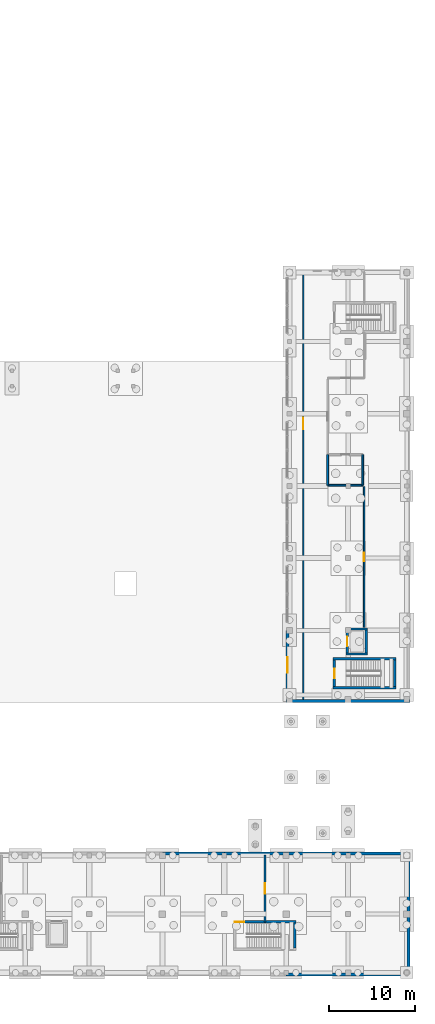
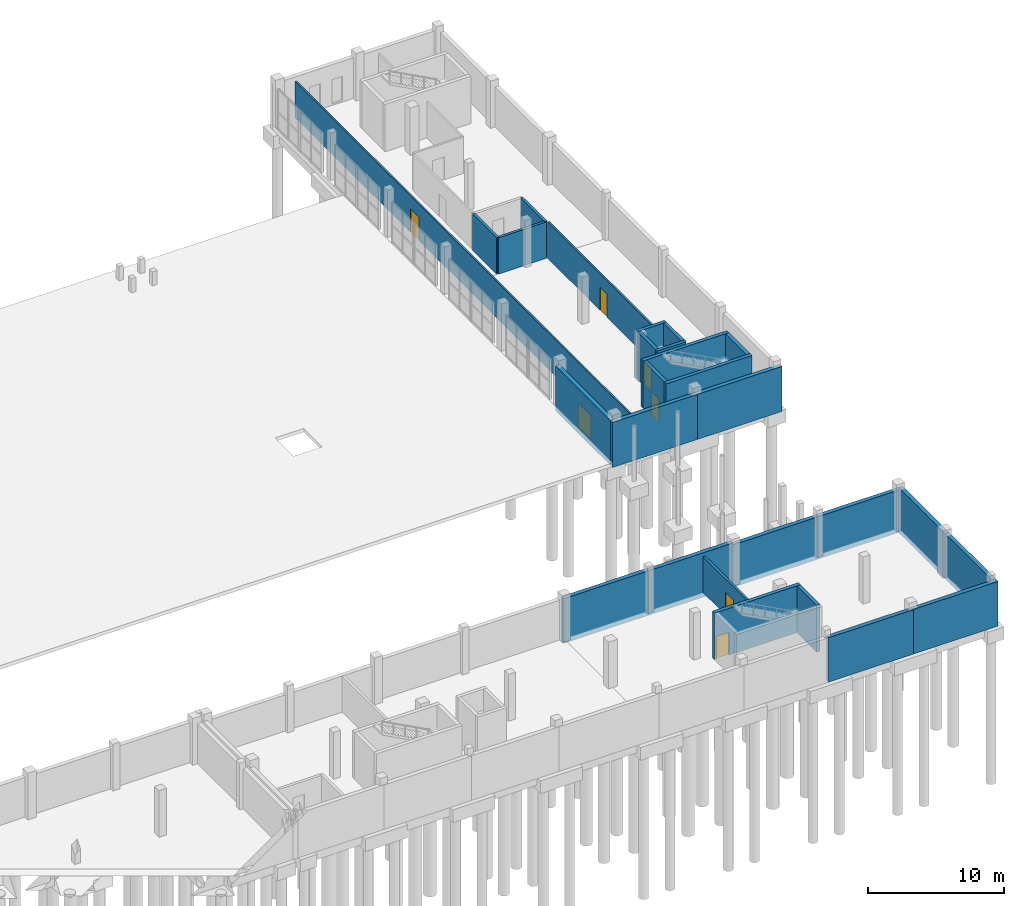
# One storey, part 31 of 41: 27 walls, 7 doors, 7 openings.
"""IFC4 building model written with IfcOpenShell, lengths in metres."""

from ifc_helpers import new_model, si_unit, direction, frame, frame_2d, origin, place, context, subcontext, project, spatial, rectangle, extrude, material, layer, layer_set, type_object, element, fill, save


model = new_model("IFC4")

# Units and contexts
model_context = context("Model", 3, precision=1e-05, world=origin(), true_north=direction((0.0, 1.0)))
body_context = subcontext(model_context, "Body", "Model", "MODEL_VIEW")
ifc_project = project(units=[si_unit("LENGTHUNIT", "METRE"), si_unit("AREAUNIT", "SQUARE_METRE"), si_unit("VOLUMEUNIT", "CUBIC_METRE"), si_unit("PLANEANGLEUNIT", "RADIAN"), si_unit("MASSUNIT", "GRAM", prefix="KILO")], contexts=[model_context])

# Site, building, storey
site_placement = place(None, origin())
site = spatial("IfcSite", under=ifc_project, at=site_placement, CompositionType="ELEMENT")
building_placement = place(site_placement, origin())
building = spatial("IfcBuilding", under=site, at=building_placement, Name="Vardoun Plaza Health Centre", CompositionType="ELEMENT")
storey_placement = place(building_placement, frame((0.0, 0.0, -4.5)))
storey = spatial("IfcBuildingStorey", under=building, at=storey_placement, Name="B1", CompositionType="ELEMENT", Elevation=-4.5)

# Wall
ifc_material_1 = material(Name="Concrete C40/50", Category="concrete")
ifc_layer_1 = layer(ifc_material_1, 0.27001953125)
ifc_layer_set_1 = layer_set([ifc_layer_1], Name="Concrete C40/50")
wall_type_1 = type_object("IfcWallType", Name="SW-03", PredefinedType="SHEAR", material=ifc_layer_set_1)
wall_1_placement = place(storey_placement, frame((160.3349609375, 41.949951171875, 0.0), z_axis=(0.0, 0.0, 1.0), x_axis=(-1.0, 0.0, 0.0)))
element("IfcWall", 1, at=wall_1_placement, inside=storey, type_object=wall_type_1, Name="Lift LP-05 B1 Shaft Wall S", PredefinedType="SHEAR", context=body_context, shape_type="SweptSolid", body=[
    extrude(rectangle(XDim=2.469970703125, YDim=0.27001953125, at=frame_2d((1.23486328125, 0.0))), origin(), (0.0, 0.0, 1.0), 4.25),
])

# Wall, opening, door
wall_2_placement = place(storey_placement, frame((158.0, 42.0849609375, 0.0), z_axis=(0.0, 0.0, 1.0), x_axis=(0.0, 1.0, 0.0)))
wall_2 = element("IfcWall", 2, at=wall_2_placement, inside=storey, type_object=wall_type_1, Name="Lift LP-05 B1 Shaft Wall W", PredefinedType="SHEAR", context=body_context, shape_type="SweptSolid", body=[
    extrude(rectangle(XDim=2.630126953125, YDim=0.27001953125, at=frame_2d((1.31494140625, 0.0))), origin(), (0.0, 0.0, 1.0), 4.25),
])
opening_1_placement = place(wall_2_placement, frame((0.7548828125, 0.0, 0.0)))
opening_1 = element("IfcOpeningElement", 3, at=opening_1_placement, cuts=wall_2, Name="Opening LD-LP-05-B1", PredefinedType="OPENING", context=body_context, shape_type="SweptSolid", body=[
    extrude(rectangle(XDim=1.1201171875, YDim=2.10009765625, at=frame_2d((0.56005859375, 1.050048828125))), frame((0.0, 0.135009765625, 0.0), z_axis=(0.0, -1.0, 0.0), x_axis=(1.0, 0.0, 0.0)), (0.0, 0.0, 1.0), 0.27001953125),
])
ifc_material_2 = material(Name="Brushed Stainless Steel Grade 316L", Category="steel")
door_type_1 = type_object("IfcDoorType", Name="LD-01", OperationType="DOUBLE_DOOR_SLIDING", PredefinedType="DOOR", material=ifc_material_2)
door_1_placement = place(opening_1_placement, origin())
door_1 = element("IfcDoor", 4, at=door_1_placement, inside=storey, type_object=door_type_1, Name="Lift LP-05 B1 Sliding Landing Door", OperationType="DOUBLE_DOOR_SLIDING", OverallHeight=2.10009765625, OverallWidth=1.1201171875, PredefinedType="DOOR", context=body_context, shape_type="SweptSolid", body=[
    extrude(rectangle(XDim=1.1201171875, YDim=2.10009765625, at=frame_2d((0.56005859375, 1.050048828125))), frame((0.0, 0.02490234375, 0.0), z_axis=(0.0, -1.0, 0.0), x_axis=(1.0, 0.0, 0.0)), (0.0, 0.0, 1.0), 0.050048828125),
])
fill(opening_1, door_1)

# Walls
wall_3_placement = place(storey_placement, frame((157.864990234375, 44.85009765625, 0.0), z_axis=(0.0, 0.0, 1.0), x_axis=(1.0, 0.0, 0.0)))
element("IfcWall", 5, at=wall_3_placement, inside=storey, type_object=wall_type_1, Name="Lift LP-05 B1 Shaft Wall N", PredefinedType="SHEAR", context=body_context, shape_type="SweptSolid", body=[
    extrude(rectangle(XDim=2.469970703125, YDim=0.27001953125, at=frame_2d((1.23486328125, 0.0))), origin(), (0.0, 0.0, 1.0), 4.25),
])
wall_4_placement = place(storey_placement, frame((160.199951171875, 44.715087890625, 0.0), z_axis=(0.0, 0.0, 1.0), x_axis=(0.0, -1.0, 0.0)))
element("IfcWall", 6, at=wall_4_placement, inside=storey, type_object=wall_type_1, Name="Lift LP-05 B1 Shaft Wall E", PredefinedType="SHEAR", context=body_context, shape_type="SweptSolid", body=[
    extrude(rectangle(XDim=2.630126953125, YDim=0.27001953125, at=frame_2d((1.31494140625, 0.0))), origin(), (0.0, 0.0, 1.0), 4.25),
])
ifc_material_3 = material(Name="Concrete C40/50", Category="concrete")
ifc_layer_2 = layer(ifc_material_3, 0.300048828125)
ifc_layer_set_2 = layer_set([ifc_layer_2], Name="Concrete C40/50")
wall_type_2 = type_object("IfcWallType", Name="SW-01", PredefinedType="SHEAR", material=ifc_layer_set_2)
wall_5_placement = place(storey_placement, frame((163.64990234375, 38.0, 0.0), z_axis=(0.0, 0.0, 1.0), x_axis=(-1.0, 0.0, 0.0)))
element("IfcWall", 7, at=wall_5_placement, inside=storey, type_object=wall_type_2, Name="Core C10 B1 Shear Wall S", PredefinedType="SHEAR", context=body_context, shape_type="SweptSolid", body=[
    extrude(rectangle(XDim=7.2998046875, YDim=0.300048828125, at=frame_2d((3.64990234375, 0.0))), origin(), (0.0, 0.0, 1.0), 4.25),
])

# Wall, opening, door
wall_6_placement = place(storey_placement, frame((156.5, 38.14990234375, 0.0), z_axis=(0.0, 0.0, 1.0), x_axis=(0.0, 1.0, 0.0)))
wall_6 = element("IfcWall", 8, at=wall_6_placement, inside=storey, type_object=wall_type_2, Name="Core C10 B1 Shear Wall W", PredefinedType="SHEAR", context=body_context, shape_type="SweptSolid", body=[
    extrude(rectangle(XDim=3.10009765625, YDim=0.300048828125, at=frame_2d((1.550048828125, 0.0))), origin(), (0.0, 0.0, 1.0), 4.25),
])
opening_2_placement = place(wall_6_placement, frame((1.0, 0.0, 0.0)))
opening_2 = element("IfcOpeningElement", 9, at=opening_2_placement, cuts=wall_6, Name="Opening SD-C10-B1", PredefinedType="OPENING", context=body_context, shape_type="SweptSolid", body=[
    extrude(rectangle(XDim=1.10009765625, YDim=2.050048828125, at=frame_2d((0.550048828125, 1.02490234375))), frame((0.0, 0.14990234375, 0.0), z_axis=(0.0, -1.0, 0.0), x_axis=(1.0, 0.0, 0.0)), (0.0, 0.0, 1.0), 0.300048828125),
])
ifc_material_4 = material(Name="Brushed Stainless Steel Grade 316L", Category="steel")
door_type_2 = type_object("IfcDoorType", Name="FD-01", OperationType="NOTDEFINED", PredefinedType="DOOR", material=ifc_material_4)
door_2_placement = place(opening_2_placement, origin())
door_2 = element("IfcDoor", 10, at=door_2_placement, inside=storey, type_object=door_type_2, Name="Stair C10 B1 Fire Door", OperationType="SINGLE_SWING_LEFT", OverallHeight=2.050048828125, OverallWidth=1.10009765625, PredefinedType="DOOR", context=body_context, shape_type="SweptSolid", body=[
    extrude(rectangle(XDim=1.10009765625, YDim=2.050048828125, at=frame_2d((0.550048828125, 1.02490234375))), frame((0.0, 0.02490234375, 0.0), z_axis=(0.0, -1.0, 0.0), x_axis=(1.0, 0.0, 0.0)), (0.0, 0.0, 1.0), 0.050048828125),
])
fill(opening_2, door_2)

# Walls
wall_7_placement = place(storey_placement, frame((156.35009765625, 41.39990234375, 0.0), z_axis=(0.0, 0.0, 1.0), x_axis=(1.0, 0.0, 0.0)))
element("IfcWall", 11, at=wall_7_placement, inside=storey, type_object=wall_type_2, Name="Core C10 B1 Shear Wall N", PredefinedType="SHEAR", context=body_context, shape_type="SweptSolid", body=[
    extrude(rectangle(XDim=7.2998046875, YDim=0.300048828125, at=frame_2d((3.64990234375, 0.0))), origin(), (0.0, 0.0, 1.0), 4.25),
])
wall_8_placement = place(storey_placement, frame((163.5, 41.25, 0.0), z_axis=(0.0, 0.0, 1.0), x_axis=(0.0, -1.0, 0.0)))
element("IfcWall", 12, at=wall_8_placement, inside=storey, type_object=wall_type_2, Name="Core C10 B1 Shear Wall E", PredefinedType="SHEAR", context=body_context, shape_type="SweptSolid", body=[
    extrude(rectangle(XDim=3.10009765625, YDim=0.300048828125, at=frame_2d((1.550048828125, 0.0))), origin(), (0.0, 0.0, 1.0), 4.25),
])

# Wall, opening, door
wall_9_placement = place(storey_placement, frame((144.75, 10.800048828125, 0.0), z_axis=(0.0, 0.0, 1.0), x_axis=(1.0, 0.0, 0.0)))
wall_9 = element("IfcWall", 13, at=wall_9_placement, inside=storey, type_object=wall_type_2, Name="Core C9 B1 Shear Wall N", PredefinedType="SHEAR", context=body_context, shape_type="SweptSolid", body=[
    extrude(rectangle(XDim=7.300048828125, YDim=0.300048828125, at=frame_2d((3.64990234375, 0.0))), origin(), (0.0, 0.0, 1.0), 4.205078125),
])
opening_3_placement = place(wall_9_placement, frame((0.159912109375, 0.0, 0.0)))
opening_3 = element("IfcOpeningElement", 14, at=opening_3_placement, cuts=wall_9, Name="Opening SD-C9-B1", PredefinedType="OPENING", context=body_context, shape_type="SweptSolid", body=[
    extrude(rectangle(XDim=1.10009765625, YDim=2.050048828125, at=frame_2d((0.550048828125, 1.02490234375))), frame((0.0, 0.14990234375, 0.0), z_axis=(0.0, -1.0, 0.0), x_axis=(1.0, 0.0, 0.0)), (0.0, 0.0, 1.0), 0.300048828125),
])
door_3_placement = place(opening_3_placement, origin())
door_3 = element("IfcDoor", 15, at=door_3_placement, inside=storey, type_object=door_type_2, Name="Stair C9 B1 Fire Door", OperationType="SINGLE_SWING_RIGHT", OverallHeight=2.050048828125, OverallWidth=1.10009765625, PredefinedType="DOOR", context=body_context, shape_type="SweptSolid", body=[
    extrude(rectangle(XDim=1.10009765625, YDim=2.050048828125, at=frame_2d((0.550048828125, 1.02490234375))), frame((0.0, 0.02490234375, 0.0), z_axis=(0.0, -1.0, 0.0), x_axis=(1.0, 0.0, 0.0)), (0.0, 0.0, 1.0), 0.050048828125),
])
fill(opening_3, door_3)

# Walls
wall_10_placement = place(storey_placement, frame((151.89990234375, 10.64990234375, 0.0), z_axis=(0.0, 0.0, 1.0), x_axis=(0.0, -1.0, 0.0)))
element("IfcWall", 16, at=wall_10_placement, inside=storey, type_object=wall_type_2, Name="Core C9 B1 Shear Wall E", PredefinedType="SHEAR", context=body_context, shape_type="SweptSolid", body=[
    extrude(rectangle(XDim=2.89990234375, YDim=0.300048828125, at=frame_2d((1.449951171875, 0.0))), origin(), (0.0, 0.0, 1.0), 4.205078125),
])
ifc_material_5 = material(Name="Pale Limestone Concrete C35/45", Category="masonry")
ifc_layer_3 = layer(ifc_material_5, 0.344970703125)
ifc_layer_set_3 = layer_set([ifc_layer_3], Name="Pale Limestone Concrete C35/45")
wall_type_3 = type_object("IfcWallType", Name="EW-01", PredefinedType="SOLIDWALL", material=ifc_layer_set_3)
wall_11_placement = place(storey_placement, frame((136.5, 18.7275390625, -0.419921875), z_axis=(0.0, 0.0, 1.0), x_axis=(1.0, 0.0, 0.0)))
element("IfcWall", 17, at=wall_11_placement, inside=storey, type_object=wall_type_3, Name="V5 B1 Exterior Wall EW-V5-352", PredefinedType="SOLIDWALL", context=body_context, shape_type="SweptSolid", body=[
    extrude(rectangle(XDim=7.199951171875, YDim=0.344970703125, at=frame_2d((3.60009765625, 0.0))), origin(), (0.0, 0.0, 1.0), 4.010009765625),
])
wall_12_placement = place(storey_placement, frame((143.699951171875, 18.7275390625, -0.419921875), z_axis=(0.0, 0.0, 1.0), x_axis=(1.0, 0.0, 0.0)))
element("IfcWall", 18, at=wall_12_placement, inside=storey, type_object=wall_type_3, Name="V5 B1 Exterior Wall EW-V5-353", PredefinedType="SOLIDWALL", context=body_context, shape_type="SweptSolid", body=[
    extrude(rectangle(XDim=7.199951171875, YDim=0.344970703125, at=frame_2d((3.60009765625, 0.0))), origin(), (0.0, 0.0, 1.0), 3.989990234375),
])
wall_13_placement = place(storey_placement, frame((150.89990234375, 18.7275390625, -0.419921875), z_axis=(0.0, 0.0, 1.0), x_axis=(1.0, 0.0, 0.0)))
element("IfcWall", 19, at=wall_13_placement, inside=storey, type_object=wall_type_3, Name="V5 B1 Exterior Wall EW-V5-354", PredefinedType="SOLIDWALL", context=body_context, shape_type="SweptSolid", body=[
    extrude(rectangle(XDim=7.2001953125, YDim=0.344970703125, at=frame_2d((3.60009765625, 0.0))), origin(), (0.0, 0.0, 1.0), 3.809814453125),
])
wall_14_placement = place(storey_placement, frame((158.10009765625, 18.7275390625, -0.419921875), z_axis=(0.0, 0.0, 1.0), x_axis=(1.0, 0.0, 0.0)))
element("IfcWall", 20, at=wall_14_placement, inside=storey, type_object=wall_type_3, Name="V5 B1 Exterior Wall EW-V5-355", PredefinedType="SOLIDWALL", context=body_context, shape_type="SweptSolid", body=[
    extrude(rectangle(XDim=7.199951171875, YDim=0.344970703125, at=frame_2d((3.60009765625, 0.0))), origin(), (0.0, 0.0, 1.0), 3.809814453125),
])
for number, where, z_axis, x_axis, name in (
    (21, (165.12744140625, 18.554931640625, -0.419921875), (0.0, 0.0, 1.0), (0.0, -1.0, 0.0), "V5 B1 Exterior Wall EW-V5-356"),
    (22, (165.12744140625, 11.699951171875, -0.419921875), (0.0, 0.0, 1.0), (0.0, -1.0, 0.0), "V5 B1 Exterior Wall EW-V5-357"),
):
    element("IfcWall", number, at=place(storey_placement, frame(where, z_axis=z_axis, x_axis=x_axis)), inside=storey, type_object=wall_type_3, Name=name, PredefinedType="SOLIDWALL", context=body_context, shape_type="SweptSolid", body=[
        extrude(rectangle(XDim=6.85498046875, YDim=0.344970703125, at=frame_2d((3.427490234375, 0.0))), origin(), (0.0, 0.0, 1.0), 4.059814453125),
    ])
wall_15_placement = place(storey_placement, frame((165.300048828125, 4.672607421875, -0.419921875), z_axis=(0.0, 0.0, 1.0), x_axis=(-1.0, 0.0, 0.0)))
element("IfcWall", 23, at=wall_15_placement, inside=storey, type_object=wall_type_3, Name="V5 B1 Exterior Wall EW-V5-358", PredefinedType="SOLIDWALL", context=body_context, shape_type="SweptSolid", body=[
    extrude(rectangle(XDim=7.199951171875, YDim=0.344970703125, at=frame_2d((3.60009765625, 0.0))), origin(), (0.0, 0.0, 1.0), 4.010009765625),
])
wall_16_placement = place(storey_placement, frame((158.10009765625, 4.672607421875, -0.419921875), z_axis=(0.0, 0.0, 1.0), x_axis=(-1.0, 0.0, 0.0)))
element("IfcWall", 24, at=wall_16_placement, inside=storey, type_object=wall_type_3, Name="V5 B1 Exterior Wall EW-V5-359", PredefinedType="SOLIDWALL", context=body_context, shape_type="SweptSolid", body=[
    extrude(rectangle(XDim=7.2001953125, YDim=0.344970703125, at=frame_2d((3.60009765625, 0.0))), origin(), (0.0, 0.0, 1.0), 3.989990234375),
])
wall_17_placement = place(storey_placement, frame((165.300048828125, 36.472412109375, -0.419921875), z_axis=(0.0, 0.0, 1.0), x_axis=(-1.0, 0.0, 0.0)))
element("IfcWall", 25, at=wall_17_placement, inside=storey, type_object=wall_type_3, Name="V6 B1 Exterior Wall EW-V6-412", PredefinedType="SOLIDWALL", context=body_context, shape_type="SweptSolid", body=[
    extrude(rectangle(XDim=7.199951171875, YDim=0.344970703125, at=frame_2d((3.60009765625, 0.0))), origin(), (0.0, 0.0, 1.0), 4.054931640625),
])
wall_18_placement = place(storey_placement, frame((158.10009765625, 36.472412109375, -0.419921875), z_axis=(0.0, 0.0, 1.0), x_axis=(-1.0, 0.0, 0.0)))
element("IfcWall", 26, at=wall_18_placement, inside=storey, type_object=wall_type_3, Name="V6 B1 Exterior Wall EW-V6-413", PredefinedType="SOLIDWALL", context=body_context, shape_type="SweptSolid", body=[
    extrude(rectangle(XDim=7.2001953125, YDim=0.344970703125, at=frame_2d((3.60009765625, 0.0))), origin(), (0.0, 0.0, 1.0), 4.054931640625),
])

# Wall, opening, door
wall_19_placement = place(storey_placement, frame((151.072509765625, 36.64501953125, -0.419921875), z_axis=(0.0, 0.0, 1.0), x_axis=(0.0, 1.0, 0.0)))
wall_19 = element("IfcWall", 27, at=wall_19_placement, inside=storey, type_object=wall_type_3, Name="V6 B1 Exterior Wall EW-V6-414", PredefinedType="SOLIDWALL", context=body_context, shape_type="SweptSolid", body=[
    extrude(rectangle(XDim=8.054931640625, YDim=0.344970703125, at=frame_2d((4.02734375, 0.0))), origin(), (0.0, 0.0, 1.0), 4.034912109375),
])
opening_4_placement = place(wall_19_placement, frame((3.12744140625, 0.0, 0.419921875)))
opening_4 = element("IfcOpeningElement", 28, at=opening_4_placement, cuts=wall_19, Name="Opening D-B1-FC1", PredefinedType="OPENING", context=body_context, shape_type="SweptSolid", body=[
    extrude(rectangle(XDim=1.800048828125, YDim=2.10009765625, at=frame_2d((0.89990234375, 1.050048828125))), frame((0.0, 0.17236328125, 0.0), z_axis=(0.0, -1.0, 0.0), x_axis=(1.0, 0.0, 0.0)), (0.0, 0.0, 1.0), 0.344970703125),
])
ifc_material_6 = material(Name="Aluminium Alloy EN AW-6063-T6 Glazed Exit Door", Category="aluminium")
door_type_3 = type_object("IfcDoorType", Name="ED-01", OperationType="DOUBLE_DOOR_SINGLE_SWING", PredefinedType="DOOR", material=ifc_material_6)
door_4_placement = place(opening_4_placement, origin())
door_4 = element("IfcDoor", 29, at=door_4_placement, inside=storey, type_object=door_type_3, Name="Sunken Metro Forecourt Entrance Door", OperationType="DOUBLE_DOOR_SINGLE_SWING", OverallHeight=2.10009765625, OverallWidth=1.800048828125, PredefinedType="DOOR", context=body_context, shape_type="SweptSolid", body=[
    extrude(rectangle(XDim=1.800048828125, YDim=2.10009765625, at=frame_2d((0.89990234375, 1.050048828125))), frame((0.0, 0.02490234375, 0.0), z_axis=(0.0, -1.0, 0.0), x_axis=(1.0, 0.0, 0.0)), (0.0, 0.0, 1.0), 0.050048828125),
])
fill(opening_4, door_4)

ifc_material_7 = material(Name="Acoustic Gypsum Twin-Stud", Category="steel")
ifc_layer_4 = layer(ifc_material_7, 0.14990234375)
ifc_layer_set_4 = layer_set([ifc_layer_4], Name="Acoustic Gypsum Twin-Stud")
wall_type_4 = type_object("IfcWallType", Name="IW-04", PredefinedType="PARTITIONING", material=ifc_layer_set_4)
wall_20_placement = place(storey_placement, frame((159.9599609375, 61.419921875, 0.0), z_axis=(0.0, 0.0, 1.0), x_axis=(0.0, -1.0, 0.0)))
wall_20 = element("IfcWall", 30, at=wall_20_placement, inside=storey, type_object=wall_type_4, Name="Sunken Forecourt Entry Hall Partition Wall", PredefinedType="PARTITIONING", context=body_context, shape_type="SweptSolid", body=[
    extrude(rectangle(XDim=16.369873046875, YDim=0.14990234375, at=frame_2d((8.18505859375, 0.0))), origin(), (0.0, 0.0, 1.0), 3.27001953125),
])
opening_5_placement = place(wall_20_placement, frame((7.6650390625, 0.0, 0.0)))
opening_5 = element("IfcOpeningElement", 31, at=opening_5_placement, cuts=wall_20, Name="Opening D-B1-156", PredefinedType="OPENING", context=body_context, shape_type="SweptSolid", body=[
    extrude(rectangle(XDim=1.0400390625, YDim=2.050048828125, at=frame_2d((0.52001953125, 1.02490234375))), frame((0.0, 0.074951171875, 0.0), z_axis=(0.0, -1.0, 0.0), x_axis=(1.0, 0.0, 0.0)), (0.0, 0.0, 1.0), 0.14990234375),
])
ifc_material_8 = material(Name="Antimicrobial Acoustic Timber and Steel S275JR", Category="steel")
door_type_4 = type_object("IfcDoorType", Name="CD-04", OperationType="NOTDEFINED", PredefinedType="DOOR", material=ifc_material_8)
door_5_placement = place(opening_5_placement, origin())
door_5 = element("IfcDoor", 32, at=door_5_placement, inside=storey, type_object=door_type_4, Name="Sunken Forecourt Entry Hall Door D-B1-156", OperationType="SINGLE_SWING_LEFT", OverallHeight=2.050048828125, OverallWidth=1.0400390625, PredefinedType="DOOR", context=body_context, shape_type="SweptSolid", body=[
    extrude(rectangle(XDim=1.0400390625, YDim=2.050048828125, at=frame_2d((0.52001953125, 1.02490234375))), frame((0.0, 0.02490234375, 0.0), z_axis=(0.0, -1.0, 0.0), x_axis=(1.0, 0.0, 0.0)), (0.0, 0.0, 1.0), 0.050048828125),
])
fill(opening_5, door_5)

ifc_material_9 = material(Name="Concrete C35/45", Category="concrete")
ifc_layer_5 = layer(ifc_material_9, 0.199951171875)
ifc_layer_set_5 = layer_set([ifc_layer_5], Name="Concrete C35/45")
wall_type_5 = type_object("IfcWallType", Name="IW-01", PredefinedType="SOLIDWALL", material=ifc_layer_set_5)
wall_21_placement = place(storey_placement, frame((148.43994140625, 10.800048828125, 0.0), z_axis=(0.0, 0.0, 1.0), x_axis=(0.0, 1.0, 0.0)))
wall_21 = element("IfcWall", 33, at=wall_21_placement, inside=storey, type_object=wall_type_5, Name="Central Sterile Supply Bulk Store Partition Wall", PredefinedType="SOLIDWALL", context=body_context, shape_type="SweptSolid", body=[
    extrude(rectangle(XDim=7.75, YDim=0.199951171875, at=frame_2d((3.875, 0.0))), origin(), (0.0, 0.0, 1.0), 3.22509765625),
])
opening_6_placement = place(wall_21_placement, frame((3.27490234375, 0.0, 0.0)))
opening_6 = element("IfcOpeningElement", 34, at=opening_6_placement, cuts=wall_21, Name="Opening D-B1-132", PredefinedType="OPENING", context=body_context, shape_type="SweptSolid", body=[
    extrude(rectangle(XDim=1.199951171875, YDim=2.050048828125, at=frame_2d((0.60009765625, 1.02490234375))), frame((0.0, 0.10009765625, 0.0), z_axis=(0.0, -1.0, 0.0), x_axis=(1.0, 0.0, 0.0)), (0.0, 0.0, 1.0), 0.199951171875),
])
ifc_material_10 = material(Name="Antimicrobial Acoustic Timber and Steel S275JR", Category="steel")
door_type_5 = type_object("IfcDoorType", Name="FD-04", OperationType="NOTDEFINED", PredefinedType="DOOR", material=ifc_material_10)
door_6_placement = place(opening_6_placement, origin())
door_6 = element("IfcDoor", 35, at=door_6_placement, inside=storey, type_object=door_type_5, Name="Central Sterile Supply Bulk Store Door D-B1-132", OperationType="SINGLE_SWING_RIGHT", OverallHeight=2.050048828125, OverallWidth=1.199951171875, PredefinedType="DOOR", context=body_context, shape_type="SweptSolid", body=[
    extrude(rectangle(XDim=1.199951171875, YDim=2.050048828125, at=frame_2d((0.60009765625, 1.02490234375))), frame((0.0, 0.02490234375, 0.0), z_axis=(0.0, -1.0, 0.0), x_axis=(1.0, 0.0, 0.0)), (0.0, 0.0, 1.0), 0.050048828125),
])
fill(opening_6, door_6)

ifc_material_11 = material(Name="Acoustic Demountable Seminar Wall", Category="steel")
ifc_layer_6 = layer(ifc_material_11, 0.135009765625)
ifc_layer_set_6 = layer_set([ifc_layer_6], Name="Acoustic Demountable Seminar Wall")
wall_type_6 = type_object("IfcWallType", Name="IW-07", PredefinedType="MOVABLE", material=ifc_layer_set_6)
wall_22_placement = place(storey_placement, frame((152.8798828125, 86.35009765625, 0.0), z_axis=(0.0, 0.0, 1.0), x_axis=(0.0, -1.0, 0.0)))
wall_22 = element("IfcWall", 36, at=wall_22_placement, inside=storey, type_object=wall_type_6, Name="Community Health Exhibition Room Partition Wall", PredefinedType="MOVABLE", context=body_context, shape_type="SweptSolid", body=[
    extrude(rectangle(XDim=49.7001953125, YDim=0.135009765625, at=frame_2d((24.85009765625, 0.0))), origin(), (0.0, 0.0, 1.0), 3.27001953125),
])
opening_7_placement = place(wall_22_placement, frame((16.93994140625, 0.0, 0.0)))
opening_7 = element("IfcOpeningElement", 37, at=opening_7_placement, cuts=wall_22, Name="Opening D-B1-157", PredefinedType="OPENING", context=body_context, shape_type="SweptSolid", body=[
    extrude(rectangle(XDim=1.300048828125, YDim=2.10009765625, at=frame_2d((0.64990234375, 1.050048828125))), frame((0.0, 0.0673828125, 0.0), z_axis=(0.0, -1.0, 0.0), x_axis=(1.0, 0.0, 0.0)), (0.0, 0.0, 1.0), 0.135009765625),
])
ifc_material_12 = material(Name="Antimicrobial Acoustic Timber and Steel S275JR", Category="steel")
door_type_6 = type_object("IfcDoorType", Name="CD-09", OperationType="NOTDEFINED", PredefinedType="DOOR", material=ifc_material_12)
door_7_placement = place(opening_7_placement, origin())
door_7 = element("IfcDoor", 38, at=door_7_placement, inside=storey, type_object=door_type_6, Name="Community Health Exhibition Room Door D-B1-157", OperationType="SINGLE_SWING_RIGHT", OverallHeight=2.10009765625, OverallWidth=1.300048828125, PredefinedType="DOOR", context=body_context, shape_type="SweptSolid", body=[
    extrude(rectangle(XDim=1.300048828125, YDim=2.10009765625, at=frame_2d((0.64990234375, 1.050048828125))), frame((0.0, 0.02490234375, 0.0), z_axis=(0.0, -1.0, 0.0), x_axis=(1.0, 0.0, 0.0)), (0.0, 0.0, 1.0), 0.050048828125),
])
fill(opening_7, door_7)

# Walls
ifc_material_13 = material(Name="Moisture-Resistant Plumbing Chase", Category="steel")
ifc_layer_7 = layer(ifc_material_13, 0.215087890625)
ifc_layer_set_7 = layer_set([ifc_layer_7], Name="Moisture-Resistant Plumbing Chase")
wall_type_7 = type_object("IfcWallType", Name="IW-06", PredefinedType="PLUMBINGWALL", material=ifc_layer_set_7)
for number, where, z_axis, x_axis, name in (
    (39, (155.719970703125, 61.580078125, 0.0), (0.0, 0.0, 1.0), (0.0, 1.0, 0.0), "Accessible WC B1-V6 Enclosure Partition"),
    (40, (159.803466796875, 65.130859375, 0.0), (0.0, 0.0, 1.0), (0.0, -1.0, 0.0), "Accessible WC B1-V6 Enclosure Partition"),
):
    element("IfcWall", number, at=place(storey_placement, frame(where, z_axis=z_axis, x_axis=x_axis)), inside=storey, type_object=wall_type_7, Name=name, PredefinedType="PLUMBINGWALL", context=body_context, shape_type="SweptSolid", body=[
        extrude(rectangle(XDim=3.55078125, YDim=0.215087890625, at=frame_2d((1.775390625, 0.0))), origin(), (0.0, 0.0, 1.0), 3.27001953125),
    ])
wall_23_placement = place(storey_placement, frame((159.803466796875, 61.580078125, 0.0), z_axis=(0.0, 0.0, 1.0), x_axis=(-1.0, 0.0, 0.0)))
element("IfcWall", 41, at=wall_23_placement, inside=storey, type_object=wall_type_7, Name="Accessible WC B1-V6 Enclosure Partition", PredefinedType="PLUMBINGWALL", context=body_context, shape_type="SweptSolid", body=[
    extrude(rectangle(XDim=4.08349609375, YDim=0.215087890625, at=frame_2d((2.041748046875, 0.0))), origin(), (0.0, 0.0, 1.0), 3.27001953125),
])

save(model, "model.ifc")
